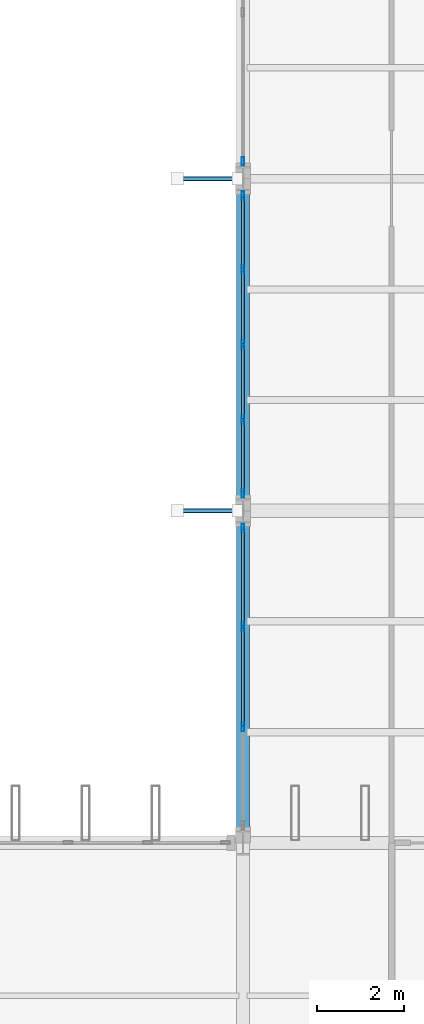
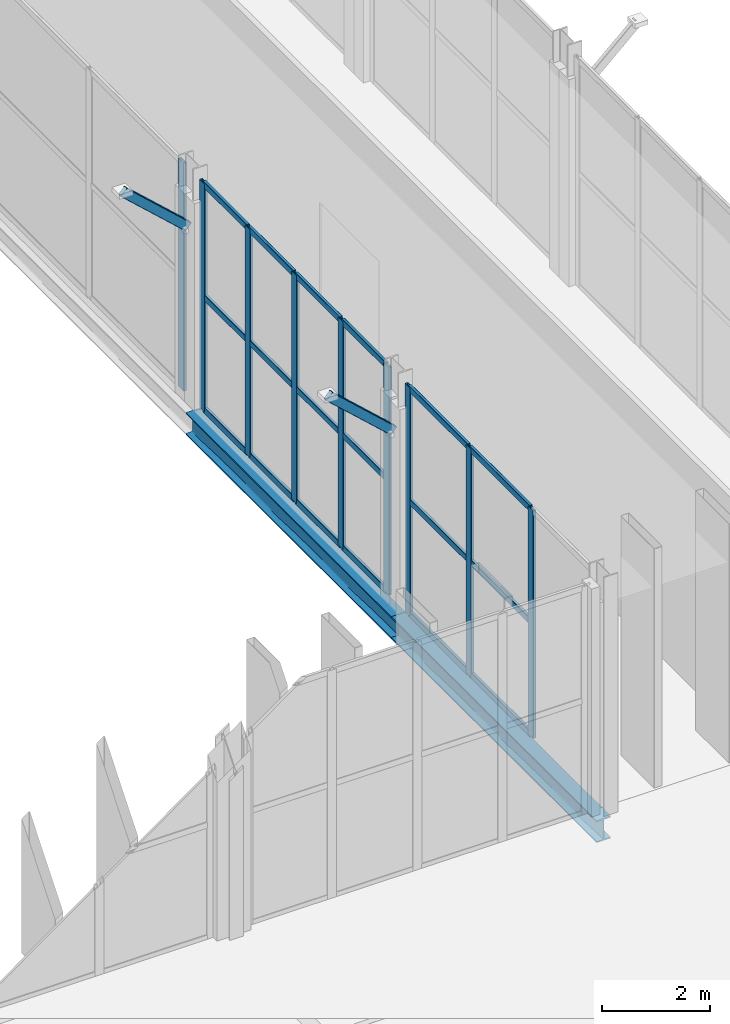
# One storey, part 65 of 147: 29 members, 2 beams, 3 elements without a shape of their own.
"""IFC4 building model written with IfcOpenShell, lengths in metres."""

import ifcopenshell
import ifcopenshell.guid

model = None  # the IFC model being written
_history = None  # IfcOwnerHistory: only IFC2X3 demands one
_inside = {}  # id of a spatial element -> (the spatial element, [elements in it])
_under = {}  # id of a project, library or spatial element -> (it, [spatial elements below it])
_declared = {}  # id of a project -> (the project, [libraries it declares])
_typed = {}  # id of a type object -> (the type object, [elements of that type])
_made_of = {}  # id of a material, layer set ... -> (it, [elements and type objects made of it])


def new_model(schema):
    """Start an empty IFC model of exactly this schema.

    Asked for "IFC4X3", IfcOpenShell would pick the latest addendum, in which some entities
    have other attributes; the version numbers below select the first issue.
    IFC2X3 requires an IfcOwnerHistory on every rooted entity: one is made here for all.
    """
    global model, _history
    if schema == "IFC4X3":
        model = ifcopenshell.file(schema_version=(4, 3, 0, 0))
    else:
        model = ifcopenshell.file(schema=schema)
    _inside.clear()
    _under.clear()
    _declared.clear()
    _typed.clear()
    _made_of.clear()
    _history = None
    if model.schema == "IFC2X3":
        org = make("IfcOrganization", Name="unknown")
        user = make(
            "IfcPersonAndOrganization",
            ThePerson=make("IfcPerson", FamilyName="unknown"),
            TheOrganization=org,
        )
        app = make(
            "IfcApplication",
            ApplicationDeveloper=org,
            Version="unknown",
            ApplicationFullName="unknown",
            ApplicationIdentifier="unknown",
        )
        _history = make(
            "IfcOwnerHistory",
            OwningUser=user,
            OwningApplication=app,
            ChangeAction="ADDED",
            CreationDate=0,
        )
    return model


def make(cls, **values):
    """One entity of the class cls with the attributes given. An attribute that is None is left unset."""
    return model.create_entity(
        cls, **{name: value for name, value in values.items() if value is not None}
    )


def rooted(cls, **values):
    """An entity with a GlobalId (a new one), such as an element, a storey or a relation."""
    return make(cls, GlobalId=ifcopenshell.guid.new(), OwnerHistory=_history, **values)


def si_unit(unit_type, name, prefix=None):
    """IfcSIUnit, for example si_unit("LENGTHUNIT", "METRE", prefix="MILLI")."""
    return make("IfcSIUnit", UnitType=unit_type, Prefix=prefix, Name=name)


def assignment(units):
    """IfcUnitAssignment: the units of a project."""
    return None if units is None else make("IfcUnitAssignment", Units=units)


def point(xyz):
    """IfcCartesianPoint."""
    return None if xyz is None else make("IfcCartesianPoint", Coordinates=xyz)


def direction(xyz):
    """IfcDirection."""
    return None if xyz is None else make("IfcDirection", DirectionRatios=xyz)


def frame(location, z_axis=None, x_axis=None):
    """IfcAxis2Placement3D, a coordinate frame: its origin and axes. An axis left out is left unset."""
    return make(
        "IfcAxis2Placement3D",
        Location=point(location),
        Axis=direction(z_axis),
        RefDirection=direction(x_axis),
    )


def frame_2d(location, x_axis=None):
    """IfcAxis2Placement2D, a coordinate frame in the plane: its origin and x axis."""
    return make(
        "IfcAxis2Placement2D", Location=point(location), RefDirection=direction(x_axis)
    )


def origin():
    """The frame at (0, 0, 0) with its axes left unset."""
    return frame((0.0, 0.0, 0.0))


def origin_2d():
    """The frame at (0, 0) in the plane with its x axis left unset."""
    return frame_2d((0.0, 0.0))


def place(relative_to, where):
    """IfcLocalPlacement: puts the frame where relative to a parent placement (None: the world)."""
    return make(
        "IfcLocalPlacement", PlacementRelTo=relative_to, RelativePlacement=where
    )


def context(
    kind, dimensions, precision=None, world=None, true_north=None, identifier=None
):
    """IfcGeometricRepresentationContext, for example the 3D "Model" context."""
    return make(
        "IfcGeometricRepresentationContext",
        ContextIdentifier=identifier,
        ContextType=kind,
        CoordinateSpaceDimension=dimensions,
        Precision=precision,
        WorldCoordinateSystem=world,
        TrueNorth=true_north,
    )


def subcontext(parent, identifier, kind, view, scale=None):
    """IfcGeometricRepresentationSubContext, for example "Body" below "Model"."""
    return make(
        "IfcGeometricRepresentationSubContext",
        ContextIdentifier=identifier,
        ContextType=kind,
        ParentContext=parent,
        TargetScale=scale,
        TargetView=view,
    )


def project(units=None, contexts=None):
    """IfcProject with its units and contexts."""
    return rooted(
        "IfcProject",
        Name="project",
        RepresentationContexts=contexts,
        UnitsInContext=assignment(units),
    )


def spatial(cls, under=None, at=None, **own):
    """A site, building, storey or space (cls), placed at a placement, below another one or the project."""
    s = rooted(cls, ObjectPlacement=at, **own)
    if under is not None:
        _under.setdefault(under.id(), (under, []))[1].append(s)
    return s


def profile(cls, at=None, kind="AREA", **sizes):
    """A parametric profile (cls). Its sizes go by their IFC names, for example OverallWidth=200.0."""
    return make(cls, ProfileType=kind, Position=at, **sizes)


def hollow_rectangle(**sizes):
    """IfcRectangleHollowProfileDef."""
    return profile("IfcRectangleHollowProfileDef", **sizes)


def i_section(**sizes):
    """IfcIShapeProfileDef."""
    return profile("IfcIShapeProfileDef", **sizes)


def extrude(swept, where, along, depth):
    """IfcExtrudedAreaSolid: the profile swept, set in the frame where, extruded along a direction by depth."""
    return make(
        "IfcExtrudedAreaSolid",
        SweptArea=swept,
        Position=where,
        ExtrudedDirection=direction(along),
        Depth=depth,
    )


def shape(context_of_items, identifier, shape_type, items):
    """IfcShapeRepresentation: the items that make up one representation, for example the "Body"."""
    return make(
        "IfcShapeRepresentation",
        ContextOfItems=context_of_items,
        RepresentationIdentifier=identifier,
        RepresentationType=shape_type,
        Items=items,
    )


def material(Name=None, Category=None):
    """IfcMaterial."""
    return make("IfcMaterial", Name=Name, Category=Category)


def layer(
    of_material, thickness, ventilated=None, Name=None, Category=None, Priority=None
):
    """IfcMaterialLayer: one layer of a wall or slab, of a material (None: an air gap)."""
    return make(
        "IfcMaterialLayer",
        Material=of_material,
        LayerThickness=thickness,
        IsVentilated=ventilated,
        Name=Name,
        Category=Category,
        Priority=Priority,
    )


def layer_set(layers, Name=None):
    """IfcMaterialLayerSet."""
    return make("IfcMaterialLayerSet", MaterialLayers=layers, LayerSetName=Name)


def material_profile(
    of_material, cross_section, Name=None, Category=None, Priority=None
):
    """IfcMaterialProfile: a cross section and its material."""
    return make(
        "IfcMaterialProfile",
        Name=Name,
        Material=of_material,
        Profile=cross_section,
        Priority=Priority,
        Category=Category,
    )


def profile_set(profiles, Name=None, composite=None):
    """IfcMaterialProfileSet."""
    return make(
        "IfcMaterialProfileSet",
        Name=Name,
        MaterialProfiles=profiles,
        CompositeProfile=composite,
    )


def made_of(thing, what):
    """Note that an element or type object is made of a material, layer set ...; save() writes the relation."""
    if what is not None:
        _made_of.setdefault(what.id(), (what, []))[1].append(thing)
    return thing


def type_object(cls, material=None, **own):
    """A type object (cls), such as IfcWallType, which elements share."""
    return made_of(rooted(cls, **own), material)


def element(
    cls,
    number,
    at=None,
    inside=None,
    cuts=None,
    type_object=None,
    material=None,
    context=None,
    identifier="Body",
    shape_type=None,
    held_by="IfcProductDefinitionShape",
    body=None,
    shapes=None,
    **own,
):
    """One element of the class cls, such as IfcWall. Its Tag is "e" and its number.

    at: its placement. inside: the storey or other place that contains it. cuts: it is an
    opening in that element (IfcRelVoidsElement). A single representation is given by context,
    identifier, shape_type and body (its items); several are given by shapes. held_by: the class
    of the entity that holds the representations. save() writes the other relations.
    """
    e = rooted(cls, Tag="e%d" % number, ObjectPlacement=at, **own)
    if body is not None:
        shapes = [shape(context, identifier, shape_type, body)]
    if shapes is not None:
        e.Representation = make(held_by, Representations=shapes)
    if inside is not None:
        _inside.setdefault(inside.id(), (inside, []))[1].append(e)
    if cuts is not None:
        rooted(
            "IfcRelVoidsElement", RelatingBuildingElement=cuts, RelatedOpeningElement=e
        )
    if type_object is not None:
        _typed.setdefault(type_object.id(), (type_object, []))[1].append(e)
    return made_of(e, material)


def aggregate(whole, parts):
    """IfcRelAggregates: a whole, such as a stair, and the parts it consists of."""
    return rooted("IfcRelAggregates", RelatingObject=whole, RelatedObjects=parts)


def save(model, path):
    """Write the relations noted so far, then the file.

    IfcRelAggregates (storeys below a building ...), IfcRelContainedInSpatialStructure (elements
    in a storey), IfcRelDefinesByType, IfcRelAssociatesMaterial and IfcRelDeclares: one each for
    every whole, place, type object, material and project.
    """
    for whole, parts in _under.values():
        aggregate(whole, parts)
    for where, things in _inside.values():
        rooted(
            "IfcRelContainedInSpatialStructure",
            RelatedElements=things,
            RelatingStructure=where,
        )
    for kind, things in _typed.values():
        rooted("IfcRelDefinesByType", RelatedObjects=things, RelatingType=kind)
    for what, things in _made_of.values():
        rooted("IfcRelAssociatesMaterial", RelatedObjects=things, RelatingMaterial=what)
    for by, libraries in _declared.values():
        rooted("IfcRelDeclares", RelatingContext=by, RelatedDefinitions=libraries)
    model.write(path)


model = new_model("IFC4")

# Units and contexts
model_context = context("Model", 3, precision=1e-05, world=origin(), true_north=direction((0.0, 1.0)))
body_context = subcontext(model_context, "Body", "Model", "MODEL_VIEW")
ifc_project = project(units=[si_unit("LENGTHUNIT", "METRE"), si_unit("AREAUNIT", "SQUARE_METRE"), si_unit("VOLUMEUNIT", "CUBIC_METRE"), si_unit("PLANEANGLEUNIT", "RADIAN"), si_unit("MASSUNIT", "GRAM", prefix="KILO")], contexts=[model_context])

# Site, building, storey
site_placement = place(None, origin())
site = spatial("IfcSite", under=ifc_project, at=site_placement, CompositionType="ELEMENT")
building_placement = place(site_placement, origin())
building = spatial("IfcBuilding", under=site, at=building_placement, Name="Vekula Escarpment Museum", CompositionType="ELEMENT")
storey_placement = place(building_placement, frame((0.0, 0.0, 7.800048828125)))
storey = spatial("IfcBuildingStorey", under=building, at=storey_placement, Name="L02", CompositionType="ELEMENT", Elevation=7.800048828125)

# Beams
ifc_material_1 = material(Name="Steel S355", Category="steel")
ifc_material_profile_1 = material_profile(ifc_material_1, i_section(OverallWidth=0.300048828125, OverallDepth=0.5, WebThickness=0.014404296875, FlangeThickness=0.028076171875, FilletRadius=0.027099609375, at=origin_2d()), Name="HEB 500")
ifc_profile_set_1 = profile_set([ifc_material_profile_1], Name="Steel S355")
beam_type = type_object("IfcBeamType", Name="BM-GIRD-HEB500", PredefinedType="BEAM", material=ifc_profile_set_1)
for number, where, z_axis, x_axis, name in (
    (1, (94.0, 90.39990234375, -0.510009765625), (0.0, 1.0, 0.0), (-1.0, 0.0, 0.0), "Beam Y L02 1162"),
    (2, (94.0, 98.0, -0.510009765625), (0.0, 1.0, 0.0), (-1.0, 0.0, 0.0), "Beam Y L02 1163"),
):
    element("IfcBeam", number, at=place(storey_placement, frame(where, z_axis=z_axis, x_axis=x_axis)), inside=storey, type_object=beam_type, Name=name, PredefinedType="BEAM", context=body_context, shape_type="SweptSolid", body=[
        extrude(i_section(OverallWidth=0.300048828125, OverallDepth=0.5, WebThickness=0.014404296875, FlangeThickness=0.028076171875, FilletRadius=0.027099609375, at=origin_2d()), origin(), (0.0, 0.0, 1.0), 7.60009765625),
    ])

# Curtain wall, member
ifc_material_2 = material(Name="Aluminium thermally broken framing", Category="aluminium")
ifc_layer_1 = layer(ifc_material_2, 0.179931640625)
ifc_layer_set_1 = layer_set([ifc_layer_1], Name="Aluminium thermally broken framing")
curtain_wall_type_1 = type_object("IfcCurtainWallType", Name="CW-SYS-08", PredefinedType="NOTDEFINED", material=ifc_layer_set_1)
curtain_wall_1_placement = place(storey_placement, origin())
curtain_wall_1 = element("IfcCurtainWall", 3, at=curtain_wall_1_placement, inside=storey, type_object=curtain_wall_type_1, Name="Curtain Wall CW-L02-088", PredefinedType="NOTDEFINED")
ifc_material_3 = material(Name="Aluminium anodized mullion", Category="aluminium")
ifc_material_profile_2 = material_profile(ifc_material_3, hollow_rectangle(XDim=0.06494140625, YDim=0.199951171875, WallThickness=0.00390625, InnerFilletRadius=0.00390625, OuterFilletRadius=0.008056640625, at=origin_2d()), Name="ALU 200x65x4")
ifc_profile_set_2 = profile_set([ifc_material_profile_2], Name="Aluminium anodized mullion")
member_type_1 = type_object("IfcMemberType", Name="CW-MUL-200", PredefinedType="MULLION", material=ifc_profile_set_2)
member_1_placement = place(storey_placement, frame((94.0, 105.992431640625, 0.0), z_axis=(0.0, 0.0, 1.0), x_axis=(1.0, 0.0, 0.0)))
member_1 = element("IfcMember", 4, at=member_1_placement, type_object=member_type_1, Name="CW-08 mullion 3", PredefinedType="MULLION", context=body_context, shape_type="SweptSolid", body=[
    extrude(hollow_rectangle(XDim=0.06494140625, YDim=0.199951171875, WallThickness=0.00390625, InnerFilletRadius=0.00390625, OuterFilletRadius=0.008056640625, at=origin_2d()), origin(), (0.0, 0.0, 1.0), 5.14990234375),
])
aggregate(curtain_wall_1, [member_1])

# Curtain wall, members
ifc_material_4 = material(Name="Aluminium thermally broken framing", Category="aluminium")
ifc_layer_2 = layer(ifc_material_4, 0.14990234375)
ifc_layer_set_2 = layer_set([ifc_layer_2], Name="Aluminium thermally broken framing")
curtain_wall_type_2 = type_object("IfcCurtainWallType", Name="CW-SYS-09", PredefinedType="NOTDEFINED", material=ifc_layer_set_2)
curtain_wall_2_placement = place(storey_placement, origin())
curtain_wall_2 = element("IfcCurtainWall", 5, at=curtain_wall_2_placement, inside=storey, type_object=curtain_wall_type_2, Name="Curtain Wall CW-L02-089", PredefinedType="NOTDEFINED")
member_2_placement = place(storey_placement, frame((94.0, 105.20751953125, 0.0), z_axis=(0.0, 0.0, 1.0), x_axis=(1.0, 0.0, 0.0)))
member_2 = element("IfcMember", 6, at=member_2_placement, type_object=member_type_1, Name="CW-09 mullion 1", PredefinedType="MULLION", context=body_context, shape_type="SweptSolid", body=[
    extrude(hollow_rectangle(XDim=0.06494140625, YDim=0.199951171875, WallThickness=0.00390625, InnerFilletRadius=0.00390625, OuterFilletRadius=0.008056640625, at=origin_2d()), origin(), (0.0, 0.0, 1.0), 5.14990234375),
])
member_3_placement = place(storey_placement, frame((94.0, 103.52001953125, 0.0), z_axis=(0.0, 0.0, 1.0), x_axis=(1.0, 0.0, 0.0)))
member_3 = element("IfcMember", 7, at=member_3_placement, type_object=member_type_1, Name="CW-09 mullion 2", PredefinedType="MULLION", context=body_context, shape_type="SweptSolid", body=[
    extrude(hollow_rectangle(XDim=0.06494140625, YDim=0.199951171875, WallThickness=0.00390625, InnerFilletRadius=0.00390625, OuterFilletRadius=0.008056640625, at=origin_2d()), origin(), (0.0, 0.0, 1.0), 5.14990234375),
])
member_4_placement = place(storey_placement, frame((94.0, 101.800048828125, 0.0), z_axis=(0.0, 0.0, 1.0), x_axis=(1.0, 0.0, 0.0)))
member_4 = element("IfcMember", 8, at=member_4_placement, type_object=member_type_1, Name="CW-09 mullion 3", PredefinedType="MULLION", context=body_context, shape_type="SweptSolid", body=[
    extrude(hollow_rectangle(XDim=0.06494140625, YDim=0.199951171875, WallThickness=0.00390625, InnerFilletRadius=0.00390625, OuterFilletRadius=0.008056640625, at=origin_2d()), origin(), (0.0, 0.0, 1.0), 5.14990234375),
])
member_5_placement = place(storey_placement, frame((94.0, 100.080078125, 0.0), z_axis=(0.0, 0.0, 1.0), x_axis=(1.0, 0.0, 0.0)))
member_5 = element("IfcMember", 9, at=member_5_placement, type_object=member_type_1, Name="CW-09 mullion 4", PredefinedType="MULLION", context=body_context, shape_type="SweptSolid", body=[
    extrude(hollow_rectangle(XDim=0.06494140625, YDim=0.199951171875, WallThickness=0.00390625, InnerFilletRadius=0.00390625, OuterFilletRadius=0.008056640625, at=origin_2d()), origin(), (0.0, 0.0, 1.0), 5.14990234375),
])
member_6_placement = place(storey_placement, frame((94.0, 98.392578125, 0.0), z_axis=(0.0, 0.0, 1.0), x_axis=(1.0, 0.0, 0.0)))
member_6 = element("IfcMember", 10, at=member_6_placement, type_object=member_type_1, Name="CW-09 mullion 5", PredefinedType="MULLION", context=body_context, shape_type="SweptSolid", body=[
    extrude(hollow_rectangle(XDim=0.06494140625, YDim=0.199951171875, WallThickness=0.00390625, InnerFilletRadius=0.00390625, OuterFilletRadius=0.008056640625, at=origin_2d()), origin(), (0.0, 0.0, 1.0), 5.14990234375),
])

ifc_material_5 = material(Name="Aluminium thermally broken framing", Category="aluminium")
ifc_layer_3 = layer(ifc_material_5, 0.169921875)
ifc_layer_set_3 = layer_set([ifc_layer_3], Name="Aluminium thermally broken framing")
curtain_wall_type_3 = type_object("IfcCurtainWallType", Name="CW-SYS-10", PredefinedType="NOTDEFINED", material=ifc_layer_set_3)
curtain_wall_3_placement = place(storey_placement, origin())
curtain_wall_3 = element("IfcCurtainWall", 11, at=curtain_wall_3_placement, inside=storey, type_object=curtain_wall_type_3, Name="Curtain Wall CW-L02-090", PredefinedType="NOTDEFINED")
member_7_placement = place(storey_placement, frame((94.0, 97.607421875, 0.0), z_axis=(0.0, 0.0, 1.0), x_axis=(1.0, 0.0, 0.0)))
member_7 = element("IfcMember", 12, at=member_7_placement, type_object=member_type_1, Name="CW-10 mullion 1", PredefinedType="MULLION", context=body_context, shape_type="SweptSolid", body=[
    extrude(hollow_rectangle(XDim=0.06494140625, YDim=0.199951171875, WallThickness=0.00390625, InnerFilletRadius=0.00390625, OuterFilletRadius=0.008056640625, at=origin_2d()), origin(), (0.0, 0.0, 1.0), 5.14990234375),
])
member_8_placement = place(storey_placement, frame((94.0, 95.3466796875, 0.0), z_axis=(0.0, 0.0, 1.0), x_axis=(1.0, 0.0, 0.0)))
member_8 = element("IfcMember", 13, at=member_8_placement, type_object=member_type_1, Name="CW-10 mullion 2", PredefinedType="MULLION", context=body_context, shape_type="SweptSolid", body=[
    extrude(hollow_rectangle(XDim=0.06494140625, YDim=0.199951171875, WallThickness=0.00390625, InnerFilletRadius=0.00390625, OuterFilletRadius=0.008056640625, at=origin_2d()), origin(), (0.0, 0.0, 1.0), 5.14990234375),
])
member_9_placement = place(storey_placement, frame((94.0, 93.05322265625, 0.0), z_axis=(0.0, 0.0, 1.0), x_axis=(1.0, 0.0, 0.0)))
member_9 = element("IfcMember", 14, at=member_9_placement, type_object=member_type_1, Name="CW-10 mullion 3", PredefinedType="MULLION", context=body_context, shape_type="SweptSolid", body=[
    extrude(hollow_rectangle(XDim=0.06494140625, YDim=0.199951171875, WallThickness=0.00390625, InnerFilletRadius=0.00390625, OuterFilletRadius=0.008056640625, at=origin_2d()), origin(), (0.0, 0.0, 1.0), 5.14990234375),
])

# Member
ifc_material_6 = material(Name="Aluminium anodized transom", Category="aluminium")
ifc_material_profile_3 = material_profile(ifc_material_6, hollow_rectangle(XDim=0.06494140625, YDim=0.139892578125, WallThickness=0.00390625, InnerFilletRadius=0.00390625, OuterFilletRadius=0.008056640625, at=origin_2d()), Name="ALU 140x65x4")
ifc_profile_set_3 = profile_set([ifc_material_profile_3], Name="Aluminium anodized transom")
member_type_2 = type_object("IfcMemberType", Name="CW-TRN-140", PredefinedType="USERDEFINED", material=ifc_profile_set_3)
member_10_placement = place(storey_placement, frame((94.0, 105.175048828125, 0.032470703125), z_axis=(0.0, -1.0, 0.0), x_axis=(1.0, 0.0, 0.0)))
member_10 = element("IfcMember", 15, at=member_10_placement, type_object=member_type_2, Name="CW-09 transom 1.1", ObjectType="TRANSOM", PredefinedType="USERDEFINED", context=body_context, shape_type="SweptSolid", body=[
    extrude(hollow_rectangle(XDim=0.06494140625, YDim=0.139892578125, WallThickness=0.00390625, InnerFilletRadius=0.00390625, OuterFilletRadius=0.008056640625, at=origin_2d()), origin(), (0.0, 0.0, 1.0), 1.62255859375),
])

member_11_placement = place(storey_placement, frame((94.0, 105.175048828125, 2.574951171875), z_axis=(0.0, -1.0, 0.0), x_axis=(1.0, 0.0, 0.0)))
member_11 = element("IfcMember", 16, at=member_11_placement, type_object=member_type_2, Name="CW-09 transom 1.2", ObjectType="TRANSOM", PredefinedType="USERDEFINED", context=body_context, shape_type="SweptSolid", body=[
    extrude(hollow_rectangle(XDim=0.06494140625, YDim=0.139892578125, WallThickness=0.00390625, InnerFilletRadius=0.00390625, OuterFilletRadius=0.008056640625, at=origin_2d()), origin(), (0.0, 0.0, 1.0), 1.62255859375),
])

member_12_placement = place(storey_placement, frame((94.0, 105.175048828125, 5.117431640625), z_axis=(0.0, -1.0, 0.0), x_axis=(1.0, 0.0, 0.0)))
member_12 = element("IfcMember", 17, at=member_12_placement, type_object=member_type_2, Name="CW-09 transom 1.3", ObjectType="TRANSOM", PredefinedType="USERDEFINED", context=body_context, shape_type="SweptSolid", body=[
    extrude(hollow_rectangle(XDim=0.06494140625, YDim=0.139892578125, WallThickness=0.00390625, InnerFilletRadius=0.00390625, OuterFilletRadius=0.008056640625, at=origin_2d()), origin(), (0.0, 0.0, 1.0), 1.62255859375),
])

member_13_placement = place(storey_placement, frame((94.0, 103.487548828125, 0.032470703125), z_axis=(0.0, -1.0, 0.0), x_axis=(1.0, 0.0, 0.0)))
member_13 = element("IfcMember", 18, at=member_13_placement, type_object=member_type_2, Name="CW-09 transom 2.1", ObjectType="TRANSOM", PredefinedType="USERDEFINED", context=body_context, shape_type="SweptSolid", body=[
    extrude(hollow_rectangle(XDim=0.06494140625, YDim=0.139892578125, WallThickness=0.00390625, InnerFilletRadius=0.00390625, OuterFilletRadius=0.008056640625, at=origin_2d()), origin(), (0.0, 0.0, 1.0), 1.655029296875),
])

member_14_placement = place(storey_placement, frame((94.0, 103.487548828125, 2.574951171875), z_axis=(0.0, -1.0, 0.0), x_axis=(1.0, 0.0, 0.0)))
member_14 = element("IfcMember", 19, at=member_14_placement, type_object=member_type_2, Name="CW-09 transom 2.2", ObjectType="TRANSOM", PredefinedType="USERDEFINED", context=body_context, shape_type="SweptSolid", body=[
    extrude(hollow_rectangle(XDim=0.06494140625, YDim=0.139892578125, WallThickness=0.00390625, InnerFilletRadius=0.00390625, OuterFilletRadius=0.008056640625, at=origin_2d()), origin(), (0.0, 0.0, 1.0), 1.655029296875),
])

member_15_placement = place(storey_placement, frame((94.0, 103.487548828125, 5.117431640625), z_axis=(0.0, -1.0, 0.0), x_axis=(1.0, 0.0, 0.0)))
member_15 = element("IfcMember", 20, at=member_15_placement, type_object=member_type_2, Name="CW-09 transom 2.3", ObjectType="TRANSOM", PredefinedType="USERDEFINED", context=body_context, shape_type="SweptSolid", body=[
    extrude(hollow_rectangle(XDim=0.06494140625, YDim=0.139892578125, WallThickness=0.00390625, InnerFilletRadius=0.00390625, OuterFilletRadius=0.008056640625, at=origin_2d()), origin(), (0.0, 0.0, 1.0), 1.655029296875),
])

member_16_placement = place(storey_placement, frame((94.0, 101.767578125, 0.032470703125), z_axis=(0.0, -1.0, 0.0), x_axis=(1.0, 0.0, 0.0)))
member_16 = element("IfcMember", 21, at=member_16_placement, type_object=member_type_2, Name="CW-09 transom 3.1", ObjectType="TRANSOM", PredefinedType="USERDEFINED", context=body_context, shape_type="SweptSolid", body=[
    extrude(hollow_rectangle(XDim=0.06494140625, YDim=0.139892578125, WallThickness=0.00390625, InnerFilletRadius=0.00390625, OuterFilletRadius=0.008056640625, at=origin_2d()), origin(), (0.0, 0.0, 1.0), 1.655029296875),
])

member_17_placement = place(storey_placement, frame((94.0, 101.767578125, 2.574951171875), z_axis=(0.0, -1.0, 0.0), x_axis=(1.0, 0.0, 0.0)))
member_17 = element("IfcMember", 22, at=member_17_placement, type_object=member_type_2, Name="CW-09 transom 3.2", ObjectType="TRANSOM", PredefinedType="USERDEFINED", context=body_context, shape_type="SweptSolid", body=[
    extrude(hollow_rectangle(XDim=0.06494140625, YDim=0.139892578125, WallThickness=0.00390625, InnerFilletRadius=0.00390625, OuterFilletRadius=0.008056640625, at=origin_2d()), origin(), (0.0, 0.0, 1.0), 1.655029296875),
])

member_18_placement = place(storey_placement, frame((94.0, 101.767578125, 5.117431640625), z_axis=(0.0, -1.0, 0.0), x_axis=(1.0, 0.0, 0.0)))
member_18 = element("IfcMember", 23, at=member_18_placement, type_object=member_type_2, Name="CW-09 transom 3.3", ObjectType="TRANSOM", PredefinedType="USERDEFINED", context=body_context, shape_type="SweptSolid", body=[
    extrude(hollow_rectangle(XDim=0.06494140625, YDim=0.139892578125, WallThickness=0.00390625, InnerFilletRadius=0.00390625, OuterFilletRadius=0.008056640625, at=origin_2d()), origin(), (0.0, 0.0, 1.0), 1.655029296875),
])

member_19_placement = place(storey_placement, frame((94.0, 100.047607421875, 0.032470703125), z_axis=(0.0, -1.0, 0.0), x_axis=(1.0, 0.0, 0.0)))
member_19 = element("IfcMember", 24, at=member_19_placement, type_object=member_type_2, Name="CW-09 transom 4.1", ObjectType="TRANSOM", PredefinedType="USERDEFINED", context=body_context, shape_type="SweptSolid", body=[
    extrude(hollow_rectangle(XDim=0.06494140625, YDim=0.139892578125, WallThickness=0.00390625, InnerFilletRadius=0.00390625, OuterFilletRadius=0.008056640625, at=origin_2d()), origin(), (0.0, 0.0, 1.0), 1.62255859375),
])

member_20_placement = place(storey_placement, frame((94.0, 100.047607421875, 2.574951171875), z_axis=(0.0, -1.0, 0.0), x_axis=(1.0, 0.0, 0.0)))
member_20 = element("IfcMember", 25, at=member_20_placement, type_object=member_type_2, Name="CW-09 transom 4.2", ObjectType="TRANSOM", PredefinedType="USERDEFINED", context=body_context, shape_type="SweptSolid", body=[
    extrude(hollow_rectangle(XDim=0.06494140625, YDim=0.139892578125, WallThickness=0.00390625, InnerFilletRadius=0.00390625, OuterFilletRadius=0.008056640625, at=origin_2d()), origin(), (0.0, 0.0, 1.0), 1.62255859375),
])

member_21_placement = place(storey_placement, frame((94.0, 100.047607421875, 5.117431640625), z_axis=(0.0, -1.0, 0.0), x_axis=(1.0, 0.0, 0.0)))
member_21 = element("IfcMember", 26, at=member_21_placement, type_object=member_type_2, Name="CW-09 transom 4.3", ObjectType="TRANSOM", PredefinedType="USERDEFINED", context=body_context, shape_type="SweptSolid", body=[
    extrude(hollow_rectangle(XDim=0.06494140625, YDim=0.139892578125, WallThickness=0.00390625, InnerFilletRadius=0.00390625, OuterFilletRadius=0.008056640625, at=origin_2d()), origin(), (0.0, 0.0, 1.0), 1.62255859375),
])

aggregate(curtain_wall_2, [member_2, member_3, member_4, member_5, member_6, member_10, member_11, member_12, member_13, member_14, member_15, member_16, member_17, member_18, member_19, member_20, member_21])

member_22_placement = place(storey_placement, frame((94.0, 97.574951171875, 0.032470703125), z_axis=(0.0, -1.0, 0.0), x_axis=(1.0, 0.0, 0.0)))
member_22 = element("IfcMember", 27, at=member_22_placement, type_object=member_type_2, Name="CW-10 transom 1.1", ObjectType="TRANSOM", PredefinedType="USERDEFINED", context=body_context, shape_type="SweptSolid", body=[
    extrude(hollow_rectangle(XDim=0.06494140625, YDim=0.139892578125, WallThickness=0.00390625, InnerFilletRadius=0.00390625, OuterFilletRadius=0.008056640625, at=origin_2d()), origin(), (0.0, 0.0, 1.0), 2.19580078125),
])

member_23_placement = place(storey_placement, frame((94.0, 97.574951171875, 2.574951171875), z_axis=(0.0, -1.0, 0.0), x_axis=(1.0, 0.0, 0.0)))
member_23 = element("IfcMember", 28, at=member_23_placement, type_object=member_type_2, Name="CW-10 transom 1.2", ObjectType="TRANSOM", PredefinedType="USERDEFINED", context=body_context, shape_type="SweptSolid", body=[
    extrude(hollow_rectangle(XDim=0.06494140625, YDim=0.139892578125, WallThickness=0.00390625, InnerFilletRadius=0.00390625, OuterFilletRadius=0.008056640625, at=origin_2d()), origin(), (0.0, 0.0, 1.0), 2.19580078125),
])

member_24_placement = place(storey_placement, frame((94.0, 97.574951171875, 5.117431640625), z_axis=(0.0, -1.0, 0.0), x_axis=(1.0, 0.0, 0.0)))
member_24 = element("IfcMember", 29, at=member_24_placement, type_object=member_type_2, Name="CW-10 transom 1.3", ObjectType="TRANSOM", PredefinedType="USERDEFINED", context=body_context, shape_type="SweptSolid", body=[
    extrude(hollow_rectangle(XDim=0.06494140625, YDim=0.139892578125, WallThickness=0.00390625, InnerFilletRadius=0.00390625, OuterFilletRadius=0.008056640625, at=origin_2d()), origin(), (0.0, 0.0, 1.0), 2.19580078125),
])

member_25_placement = place(storey_placement, frame((94.0, 95.314208984375, 0.032470703125), z_axis=(0.0, -1.0, 0.0), x_axis=(1.0, 0.0, 0.0)))
member_25 = element("IfcMember", 30, at=member_25_placement, type_object=member_type_2, Name="CW-10 transom 2.1", ObjectType="TRANSOM", PredefinedType="USERDEFINED", context=body_context, shape_type="SweptSolid", body=[
    extrude(hollow_rectangle(XDim=0.06494140625, YDim=0.139892578125, WallThickness=0.00390625, InnerFilletRadius=0.00390625, OuterFilletRadius=0.008056640625, at=origin_2d()), origin(), (0.0, 0.0, 1.0), 2.228271484375),
])

member_26_placement = place(storey_placement, frame((94.0, 95.314208984375, 2.574951171875), z_axis=(0.0, -1.0, 0.0), x_axis=(1.0, 0.0, 0.0)))
member_26 = element("IfcMember", 31, at=member_26_placement, type_object=member_type_2, Name="CW-10 transom 2.2", ObjectType="TRANSOM", PredefinedType="USERDEFINED", context=body_context, shape_type="SweptSolid", body=[
    extrude(hollow_rectangle(XDim=0.06494140625, YDim=0.139892578125, WallThickness=0.00390625, InnerFilletRadius=0.00390625, OuterFilletRadius=0.008056640625, at=origin_2d()), origin(), (0.0, 0.0, 1.0), 2.228271484375),
])

member_27_placement = place(storey_placement, frame((94.0, 95.314208984375, 5.117431640625), z_axis=(0.0, -1.0, 0.0), x_axis=(1.0, 0.0, 0.0)))
member_27 = element("IfcMember", 32, at=member_27_placement, type_object=member_type_2, Name="CW-10 transom 2.3", ObjectType="TRANSOM", PredefinedType="USERDEFINED", context=body_context, shape_type="SweptSolid", body=[
    extrude(hollow_rectangle(XDim=0.06494140625, YDim=0.139892578125, WallThickness=0.00390625, InnerFilletRadius=0.00390625, OuterFilletRadius=0.008056640625, at=origin_2d()), origin(), (0.0, 0.0, 1.0), 2.228271484375),
])

aggregate(curtain_wall_3, [member_7, member_8, member_9, member_22, member_23, member_24, member_25, member_26, member_27])

# Members
ifc_material_7 = material(Name="Steel S355", Category="steel")
ifc_material_profile_4 = material_profile(ifc_material_7, hollow_rectangle(XDim=0.10009765625, YDim=0.199951171875, WallThickness=0.008056640625, InnerFilletRadius=0.008056640625, OuterFilletRadius=0.01611328125, at=origin_2d()), Name="RHS 200x100x8")
ifc_profile_set_4 = profile_set([ifc_material_profile_4], Name="Steel S355")
member_type_3 = type_object("IfcMemberType", Name="MB-SACAK-BRK", PredefinedType="STRUT", material=ifc_profile_set_4)
for number, where, z_axis, x_axis, name in (
    (33, (93.8798828125, 98.0, 3.949951171875), (-0.738454378718, 0.0, 0.674303441006), (0.0, -1.0, 0.0), "Ottoman Sacak Eave Bracket L03-0060"),
    (34, (93.8798828125, 105.60009765625, 3.949951171875), (-0.738454378718, 0.0, 0.674303441006), (0.0, -1.0, 0.0), "Ottoman Sacak Eave Bracket L03-0061"),
):
    element("IfcMember", number, at=place(storey_placement, frame(where, z_axis=z_axis, x_axis=x_axis)), inside=storey, type_object=member_type_3, Name=name, PredefinedType="STRUT", context=body_context, shape_type="SweptSolid", body=[
        extrude(hollow_rectangle(XDim=0.10009765625, YDim=0.199951171875, WallThickness=0.008056640625, InnerFilletRadius=0.008056640625, OuterFilletRadius=0.01611328125, at=origin_2d()), origin(), (0.0, 0.0, 1.0), 1.86865234375),
    ])

save(model, "model.ifc")
